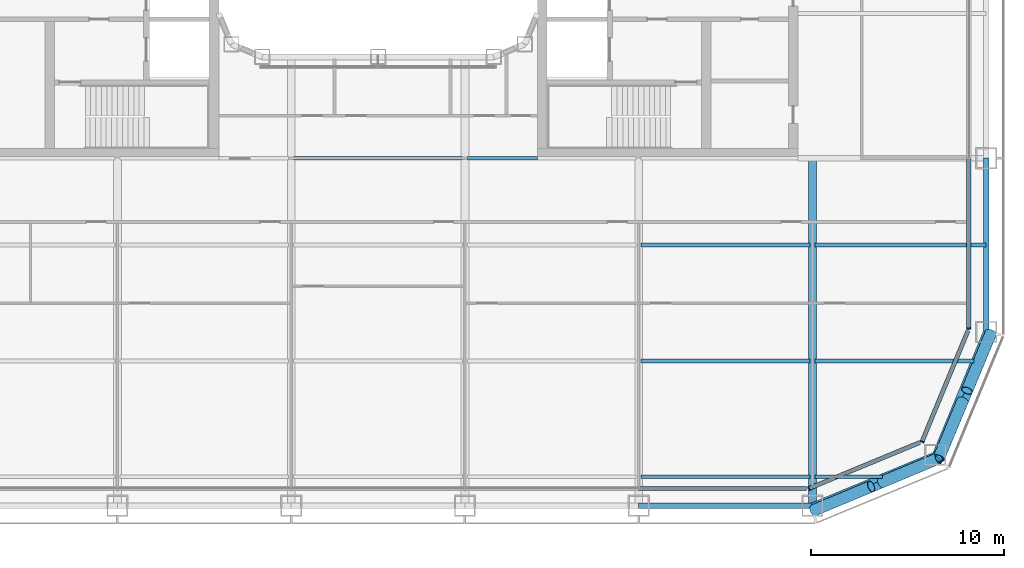
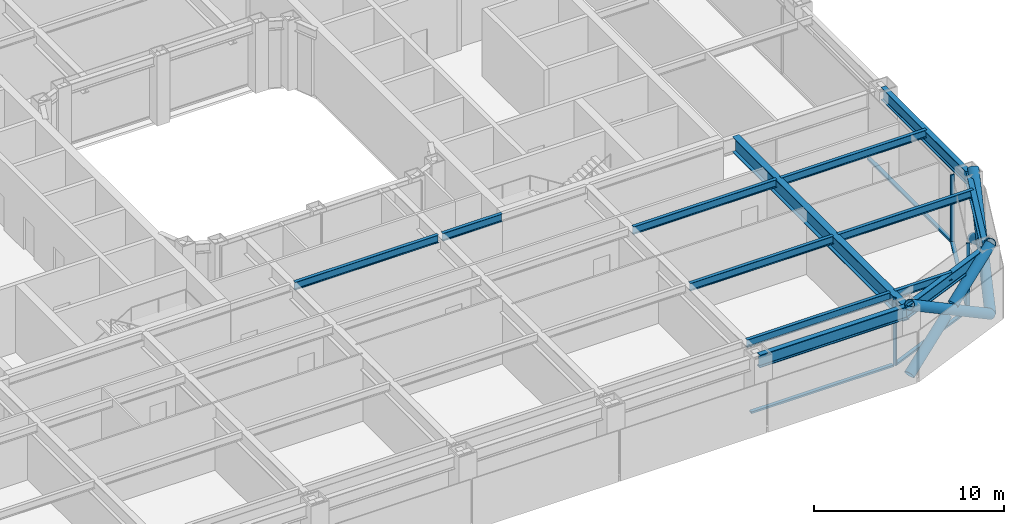
# One storey, part 4 of 24: 13 beams, 13 members, 4 elements without a shape of their own.
"""IFC4 building model written with IfcOpenShell, lengths in metres."""

from ifc_helpers import new_model, si_unit, direction, frame, origin, origin_2d, place, context, subcontext, project, spatial, rectangle, hollow_circle, i_section, extrude, material, layer, layer_set, material_profile, profile_set, type_object, element, aggregate, save


model = new_model("IFC4")

# Units and contexts
model_context = context("Model", 3, precision=1e-05, world=origin(), true_north=direction((0.0, 1.0)))
body_context = subcontext(model_context, "Body", "Model", "MODEL_VIEW")
ifc_project = project(units=[si_unit("LENGTHUNIT", "METRE"), si_unit("AREAUNIT", "SQUARE_METRE"), si_unit("VOLUMEUNIT", "CUBIC_METRE"), si_unit("PLANEANGLEUNIT", "RADIAN"), si_unit("MASSUNIT", "GRAM", prefix="KILO")], contexts=[model_context])

# Site, building, storey
site_placement = place(None, origin())
site = spatial("IfcSite", under=ifc_project, at=site_placement, CompositionType="ELEMENT")
building_placement = place(site_placement, origin())
building = spatial("IfcBuilding", under=site, at=building_placement, Name="Siwar Civic Tower", CompositionType="ELEMENT")
storey_placement = place(building_placement, frame((0.0, 0.0, 40.199951171875)))
storey = spatial("IfcBuildingStorey", under=building, at=storey_placement, Name="L08", CompositionType="ELEMENT", Elevation=40.199951171875)

# Curtain wall, member
ifc_material_1 = material(Name="Aluminium clad insulated panel", Category="aluminium")
ifc_layer_1 = layer(ifc_material_1, 0.219970703125)
ifc_layer_set_1 = layer_set([ifc_layer_1], Name="Aluminium clad insulated panel")
curtain_wall_type_1 = type_object("IfcCurtainWallType", Name="ENV-CW-AX", PredefinedType="NOTDEFINED", material=ifc_layer_set_1)
curtain_wall_1_placement = place(storey_placement, origin())
curtain_wall_1 = element("IfcCurtainWall", 1, at=curtain_wall_1_placement, inside=storey, type_object=curtain_wall_type_1, Name="Curtain wall A SE1", PredefinedType="NOTDEFINED")
ifc_material_2 = material(Name="Aluminium 6063-T6", Category="aluminium")
ifc_material_profile_1 = material_profile(ifc_material_2, rectangle(XDim=0.219970703125, YDim=0.070068359375, at=origin_2d()), Name="AL 220x70")
ifc_profile_set_1 = profile_set([ifc_material_profile_1], Name="Aluminium 6063-T6")
member_type_1 = type_object("IfcMemberType", Name="ENV-MULLION-A", PredefinedType="MULLION", material=ifc_profile_set_1)
member_1_placement = place(storey_placement, frame((22.321044921875, -30.60009765625, 0.0), z_axis=(0.0, 0.0, 1.0), x_axis=(-0.382683432365, 0.923879532511, 0.0)))
member_1 = element("IfcMember", 2, at=member_1_placement, type_object=member_type_1, Name="Mullion A SE1 1", PredefinedType="MULLION", context=body_context, shape_type="SweptSolid", body=[
    extrude(rectangle(XDim=0.219970703125, YDim=0.070068359375, at=origin_2d()), origin(), (0.0, 0.0, 1.0), 4.35009765625),
])

curtain_wall_2_placement = place(storey_placement, origin())
curtain_wall_2 = element("IfcCurtainWall", 3, at=curtain_wall_2_placement, inside=storey, type_object=curtain_wall_type_1, Name="Curtain wall A SE2", PredefinedType="NOTDEFINED")
member_2_placement = place(storey_placement, frame((28.175048828125, -28.175048828125, 0.0), z_axis=(0.0, 0.0, 1.0), x_axis=(-0.923879532511, 0.382683432365, 0.0)))
member_2 = element("IfcMember", 4, at=member_2_placement, type_object=member_type_1, Name="Mullion A SE2 1", PredefinedType="MULLION", context=body_context, shape_type="SweptSolid", body=[
    extrude(rectangle(XDim=0.219970703125, YDim=0.070068359375, at=origin_2d()), origin(), (0.0, 0.0, 1.0), 4.35009765625),
])

ifc_material_3 = material(Name="Aluminium and glass", Category="aluminium")
ifc_layer_2 = layer(ifc_material_3, 0.219970703125)
ifc_layer_set_2 = layer_set([ifc_layer_2], Name="Aluminium and glass")
curtain_wall_type_2 = type_object("IfcCurtainWallType", Name="ENV-CW-A", PredefinedType="NOTDEFINED", material=ifc_layer_set_2)
curtain_wall_3_placement = place(storey_placement, origin())
curtain_wall_3 = element("IfcCurtainWall", 5, at=curtain_wall_3_placement, inside=storey, type_object=curtain_wall_type_2, Name="Curtain wall A E", PredefinedType="NOTDEFINED")
member_3_placement = place(storey_placement, frame((30.60009765625, -22.321044921875, 0.0), z_axis=(0.0, 0.0, 1.0), x_axis=(-1.0, 0.0, 0.0)))
member_3 = element("IfcMember", 6, at=member_3_placement, type_object=member_type_1, Name="Mullion A E 1", PredefinedType="MULLION", context=body_context, shape_type="SweptSolid", body=[
    extrude(rectangle(XDim=0.219970703125, YDim=0.070068359375, at=origin_2d()), origin(), (0.0, 0.0, 1.0), 4.35009765625),
])

curtain_wall_4_placement = place(storey_placement, origin())
curtain_wall_4 = element("IfcCurtainWall", 7, at=curtain_wall_4_placement, inside=storey, type_object=curtain_wall_type_2, Name="Curtain wall A S", PredefinedType="NOTDEFINED")
ifc_material_4 = material(Name="Aluminium 6063-T6", Category="aluminium")
ifc_material_profile_2 = material_profile(ifc_material_4, rectangle(XDim=0.219970703125, YDim=0.1201171875, at=origin_2d()), Name="AL 220x120")
ifc_profile_set_2 = profile_set([ifc_material_profile_2], Name="Aluminium 6063-T6")
member_type_2 = type_object("IfcMemberType", Name="ENV-TRANSOM-A", PredefinedType="USERDEFINED", material=ifc_profile_set_2)
member_4_placement = place(storey_placement, frame((13.534912109375, -30.60009765625, 0.06005859375), z_axis=(1.0, 0.0, 0.0), x_axis=(0.0, 1.0, 0.0)))
member_4 = element("IfcMember", 8, at=member_4_placement, type_object=member_type_2, Name="Transom A S 5", ObjectType="TRANSOM", PredefinedType="USERDEFINED", context=body_context, shape_type="SweptSolid", body=[
    extrude(rectangle(XDim=0.219970703125, YDim=0.1201171875, at=origin_2d()), origin(), (0.0, 0.0, 1.0), 8.66357421875),
])
aggregate(curtain_wall_4, [member_4])

# Member
member_5_placement = place(storey_placement, frame((22.353271484375, -30.586669921875, 0.06005859375), z_axis=(0.923873326341, 0.382698415042, 0.0), x_axis=(-0.382698415042, 0.923873326341, 0.0)))
member_5 = element("IfcMember", 9, at=member_5_placement, type_object=member_type_2, Name="Transom A SE1 1", ObjectType="TRANSOM", PredefinedType="USERDEFINED", context=body_context, shape_type="SweptSolid", body=[
    extrude(rectangle(XDim=0.219970703125, YDim=0.1201171875, at=origin_2d()), origin(), (0.0, 0.0, 1.0), 6.17919921875),
])

aggregate(curtain_wall_1, [member_1, member_5])

member_6_placement = place(storey_placement, frame((28.1884765625, -28.142822265625, 0.06005859375), z_axis=(0.382698415042, 0.923873326341, 0.0), x_axis=(-0.923873326341, 0.382698415042, 0.0)))
member_6 = element("IfcMember", 10, at=member_6_placement, type_object=member_type_2, Name="Transom A SE2 1", ObjectType="TRANSOM", PredefinedType="USERDEFINED", context=body_context, shape_type="SweptSolid", body=[
    extrude(rectangle(XDim=0.219970703125, YDim=0.1201171875, at=origin_2d()), origin(), (0.0, 0.0, 1.0), 6.17919921875),
])

aggregate(curtain_wall_2, [member_2, member_6])

member_7_placement = place(storey_placement, frame((30.60009765625, -22.285888671875, 0.06005859375), z_axis=(0.0, 1.0, 0.0), x_axis=(-1.0, 0.0, 0.0)))
member_7 = element("IfcMember", 11, at=member_7_placement, type_object=member_type_2, Name="Transom A E 1", ObjectType="TRANSOM", PredefinedType="USERDEFINED", context=body_context, shape_type="SweptSolid", body=[
    extrude(rectangle(XDim=0.219970703125, YDim=0.1201171875, at=origin_2d()), origin(), (0.0, 0.0, 1.0), 8.7509765625),
])

aggregate(curtain_wall_3, [member_3, member_7])

# Members
ifc_material_5 = material(Name="Steel S355", Category="steel")
ifc_material_profile_3 = material_profile(ifc_material_5, hollow_circle(Radius=0.304931640625, WallThickness=0.030029296875, at=origin_2d()), Name="CHS610x30")
ifc_profile_set_3 = profile_set([ifc_material_profile_3], Name="Steel S355")
member_type_3 = type_object("IfcMemberType", Name="STR-BR-CHS610x30", PredefinedType="BRACE", material=ifc_profile_set_3)
member_8_placement = place(storey_placement, frame((29.040771484375, -29.040771484375, 0.0), z_axis=(0.323905527954, 0.777554562952, 0.538975055633), x_axis=(-0.923108759191, 0.384538969033, 0.0)))
element("IfcMember", 12, at=member_8_placement, inside=storey, type_object=member_type_3, Name="L08/brc/ASE1-7-0-1", PredefinedType="BRACE", context=body_context, shape_type="SweptSolid", body=[
    extrude(hollow_circle(Radius=0.304931640625, WallThickness=0.030029296875, at=origin_2d()), origin(), (0.0, 0.0, 1.0), 8.34912109375),
])
member_9_placement = place(storey_placement, frame((31.7451171875, -22.548828125, 0.0), z_axis=(-0.323882123145, -0.777533059308, 0.539020140617), x_axis=(0.923114847559, -0.384524353215, 0.0)))
element("IfcMember", 13, at=member_9_placement, inside=storey, type_object=member_type_3, Name="L08/brc/ASE1-7-0-2", PredefinedType="BRACE", context=body_context, shape_type="SweptSolid", body=[
    extrude(hollow_circle(Radius=0.304931640625, WallThickness=0.030029296875, at=origin_2d()), origin(), (0.0, 0.0, 1.0), 3.843505859375),
])
member_10_placement = place(storey_placement, frame((30.285888671875, -26.052001953125, 2.428466796875), z_axis=(-0.323934068367, -0.777568797048, 0.538937366685), x_axis=(0.923099230484, -0.384561842466, 0.0)))
element("IfcMember", 14, at=member_10_placement, inside=storey, type_object=member_type_3, Name="L08/brc/ASE1-7-0-3", PredefinedType="BRACE", context=body_context, shape_type="SweptSolid", body=[
    extrude(hollow_circle(Radius=0.304931640625, WallThickness=0.030029296875, at=origin_2d()), origin(), (0.0, 0.0, 1.0), 3.84375),
])
member_11_placement = place(storey_placement, frame((29.040771484375, -29.040771484375, 0.0), z_axis=(-0.777554562952, -0.323905527954, 0.538975055633), x_axis=(0.384538969033, -0.923108759191, 0.0)))
element("IfcMember", 15, at=member_11_placement, inside=storey, type_object=member_type_3, Name="L08/brc/ASE1-7-0-0", PredefinedType="BRACE", context=body_context, shape_type="SweptSolid", body=[
    extrude(hollow_circle(Radius=0.304931640625, WallThickness=0.030029296875, at=origin_2d()), origin(), (0.0, 0.0, 1.0), 8.34912109375),
])
member_12_placement = place(storey_placement, frame((22.548828125, -31.7451171875, 0.0), z_axis=(0.777533059308, 0.323882123145, 0.539020140617), x_axis=(-0.384524353215, 0.923114847559, 0.0)))
element("IfcMember", 16, at=member_12_placement, inside=storey, type_object=member_type_3, Name="L08/brc/ASE1-7-0-4", PredefinedType="BRACE", context=body_context, shape_type="SweptSolid", body=[
    extrude(hollow_circle(Radius=0.304931640625, WallThickness=0.030029296875, at=origin_2d()), origin(), (0.0, 0.0, 1.0), 3.843505859375),
])
member_13_placement = place(storey_placement, frame((26.052001953125, -30.285888671875, 2.428466796875), z_axis=(0.777568797048, 0.323934068367, 0.538937366685), x_axis=(-0.384561842466, 0.923099230484, 0.0)))
element("IfcMember", 17, at=member_13_placement, inside=storey, type_object=member_type_3, Name="L08/brc/ASE1-7-0-5", PredefinedType="BRACE", context=body_context, shape_type="SweptSolid", body=[
    extrude(hollow_circle(Radius=0.304931640625, WallThickness=0.030029296875, at=origin_2d()), origin(), (0.0, 0.0, 1.0), 3.84375),
])

# Beams
ifc_material_6 = material(Name="Steel S355", Category="steel")
ifc_material_profile_4 = material_profile(ifc_material_6, i_section(OverallWidth=0.199951171875, OverallDepth=0.5, WebThickness=0.01025390625, FlangeThickness=0.01611328125, FilletRadius=0.02099609375, at=origin_2d()), Name="IPE500")
ifc_profile_set_4 = profile_set([ifc_material_profile_4], Name="Steel S355")
beam_type_1 = type_object("IfcBeamType", Name="STR-FB-IPE500", PredefinedType="JOIST", material=ifc_profile_set_4)
beam_1_placement = place(storey_placement, frame((13.6298828125, -30.0, 4.10009765625), z_axis=(1.0, 0.0, 0.0), x_axis=(0.0, 1.0, 0.0)))
element("IfcBeam", 18, at=beam_1_placement, inside=storey, type_object=beam_type_1, Name="L08/bm/F006", PredefinedType="JOIST", context=body_context, shape_type="SweptSolid", body=[
    extrude(i_section(OverallWidth=0.199951171875, OverallDepth=0.5, WebThickness=0.01025390625, FlangeThickness=0.01611328125, FilletRadius=0.02099609375, at=origin_2d()), origin(), (0.0, 0.0, 1.0), 8.740234375),
])
beam_2_placement = place(storey_placement, frame((22.6298828125, -30.0, 4.10009765625), z_axis=(1.0, 0.0, 0.0), x_axis=(0.0, 1.0, 0.0)))
element("IfcBeam", 19, at=beam_2_placement, inside=storey, type_object=beam_type_1, Name="L08/bm/F007", PredefinedType="JOIST", context=body_context, shape_type="SweptSolid", body=[
    extrude(i_section(OverallWidth=0.199951171875, OverallDepth=0.5, WebThickness=0.01025390625, FlangeThickness=0.01611328125, FilletRadius=0.02099609375, at=origin_2d()), origin(), (0.0, 0.0, 1.0), 3.491455078125),
])
beam_3_placement = place(storey_placement, frame((13.6298828125, -24.0, 4.10009765625), z_axis=(1.0, 0.0, 0.0), x_axis=(0.0, 1.0, 0.0)))
element("IfcBeam", 20, at=beam_3_placement, inside=storey, type_object=beam_type_1, Name="L08/bm/F013", PredefinedType="JOIST", context=body_context, shape_type="SweptSolid", body=[
    extrude(i_section(OverallWidth=0.199951171875, OverallDepth=0.5, WebThickness=0.01025390625, FlangeThickness=0.01611328125, FilletRadius=0.02099609375, at=origin_2d()), origin(), (0.0, 0.0, 1.0), 8.740234375),
])
beam_4_placement = place(storey_placement, frame((22.6298828125, -24.0, 4.10009765625), z_axis=(1.0, 0.0, 0.0), x_axis=(0.0, 1.0, 0.0)))
element("IfcBeam", 21, at=beam_4_placement, inside=storey, type_object=beam_type_1, Name="L08/bm/F014", PredefinedType="JOIST", context=body_context, shape_type="SweptSolid", body=[
    extrude(i_section(OverallWidth=0.199951171875, OverallDepth=0.5, WebThickness=0.01025390625, FlangeThickness=0.01611328125, FilletRadius=0.02099609375, at=origin_2d()), origin(), (0.0, 0.0, 1.0), 8.248779296875),
])
beam_5_placement = place(storey_placement, frame((13.6298828125, -18.0, 4.10009765625), z_axis=(1.0, 0.0, 0.0), x_axis=(0.0, 1.0, 0.0)))
element("IfcBeam", 22, at=beam_5_placement, inside=storey, type_object=beam_type_1, Name="L08/bm/F020", PredefinedType="JOIST", context=body_context, shape_type="SweptSolid", body=[
    extrude(i_section(OverallWidth=0.199951171875, OverallDepth=0.5, WebThickness=0.01025390625, FlangeThickness=0.01611328125, FilletRadius=0.02099609375, at=origin_2d()), origin(), (0.0, 0.0, 1.0), 8.740234375),
])
beam_6_placement = place(storey_placement, frame((22.6298828125, -18.0, 4.10009765625), z_axis=(1.0, 0.0, 0.0), x_axis=(0.0, 1.0, 0.0)))
element("IfcBeam", 23, at=beam_6_placement, inside=storey, type_object=beam_type_1, Name="L08/bm/F021", PredefinedType="JOIST", context=body_context, shape_type="SweptSolid", body=[
    extrude(i_section(OverallWidth=0.199951171875, OverallDepth=0.5, WebThickness=0.01025390625, FlangeThickness=0.01611328125, FilletRadius=0.02099609375, at=origin_2d()), origin(), (0.0, 0.0, 1.0), 8.8701171875),
])
beam_7_placement = place(storey_placement, frame((-4.3701171875, -13.5, 4.10009765625), z_axis=(1.0, 0.0, 0.0), x_axis=(0.0, 1.0, 0.0)))
element("IfcBeam", 24, at=beam_7_placement, inside=storey, type_object=beam_type_1, Name="L08/bm/F026", PredefinedType="JOIST", context=body_context, shape_type="SweptSolid", body=[
    extrude(i_section(OverallWidth=0.199951171875, OverallDepth=0.5, WebThickness=0.01025390625, FlangeThickness=0.01611328125, FilletRadius=0.02099609375, at=origin_2d()), origin(), (0.0, 0.0, 1.0), 8.740234375),
])
beam_8_placement = place(storey_placement, frame((4.6298828125, -13.5, 4.10009765625), z_axis=(1.0, 0.0, 0.0), x_axis=(0.0, 1.0, 0.0)))
element("IfcBeam", 25, at=beam_8_placement, inside=storey, type_object=beam_type_1, Name="L08/bm/F027", PredefinedType="JOIST", context=body_context, shape_type="SweptSolid", body=[
    extrude(i_section(OverallWidth=0.199951171875, OverallDepth=0.5, WebThickness=0.01025390625, FlangeThickness=0.01611328125, FilletRadius=0.02099609375, at=origin_2d()), origin(), (0.0, 0.0, 1.0), 3.6201171875),
])
ifc_material_7 = material(Name="Steel S355", Category="steel")
ifc_material_profile_5 = material_profile(ifc_material_7, i_section(OverallWidth=0.39990234375, OverallDepth=1.0, WebThickness=0.01611328125, FlangeThickness=0.0400390625, at=origin_2d()), Name="PG1000x400x16x40")
ifc_profile_set_5 = profile_set([ifc_material_profile_5], Name="Steel S355")
beam_type_2 = type_object("IfcBeamType", Name="STR-PG-PG1000x400x16x40", PredefinedType="BEAM", material=ifc_profile_set_5)
beam_9_placement = place(storey_placement, frame((22.5, -31.5, 3.85009765625), z_axis=(0.0, 1.0, 0.0), x_axis=(-1.0, 0.0, 0.0)))
element("IfcBeam", 26, at=beam_9_placement, inside=storey, type_object=beam_type_2, Name="L08/bm/G11", PredefinedType="BEAM", context=body_context, shape_type="SweptSolid", body=[
    extrude(i_section(OverallWidth=0.39990234375, OverallDepth=1.0, WebThickness=0.01611328125, FlangeThickness=0.0400390625, at=origin_2d()), origin(), (0.0, 0.0, 1.0), 18.0),
])
ifc_material_8 = material(Name="Steel S355", Category="steel")
ifc_material_profile_6 = material_profile(ifc_material_8, i_section(OverallWidth=0.302978515625, OverallDepth=0.81396484375, WebThickness=0.02099609375, FlangeThickness=0.0400390625, FilletRadius=0.030029296875, at=origin_2d()), Name="HEM800")
ifc_profile_set_6 = profile_set([ifc_material_profile_6], Name="Steel S355")
beam_type_3 = type_object("IfcBeamType", Name="STR-SB-HEM800", PredefinedType="BEAM", material=ifc_profile_set_6)
beam_10_placement = place(storey_placement, frame((13.5, -31.5, 3.943115234375), z_axis=(1.0, 0.0, 0.0), x_axis=(0.0, 1.0, 0.0)))
element("IfcBeam", 27, at=beam_10_placement, inside=storey, type_object=beam_type_3, Name="L08/bm/SS-4", PredefinedType="BEAM", context=body_context, shape_type="SweptSolid", body=[
    extrude(i_section(OverallWidth=0.302978515625, OverallDepth=0.81396484375, WebThickness=0.02099609375, FlangeThickness=0.0400390625, FilletRadius=0.030029296875, at=origin_2d()), origin(), (0.0, 0.0, 1.0), 9.0),
])
for number, where, z_axis, x_axis, name in (
    (28, (22.5, -31.5, 3.943115234375), (0.923883353507, 0.382674207535, 0.0), (-0.382674207535, 0.923883353507, 0.0), "L08/bm/SSE1-0"),
    (29, (28.864013671875, -28.864013671875, 3.943115234375), (0.382674207535, 0.923883353507, 0.0), (-0.923883353507, 0.382674207535, 0.0), "L08/bm/SSE2-0"),
):
    element("IfcBeam", number, at=place(storey_placement, frame(where, z_axis=z_axis, x_axis=x_axis)), inside=storey, type_object=beam_type_3, Name=name, PredefinedType="BEAM", context=body_context, shape_type="SweptSolid", body=[
        extrude(i_section(OverallWidth=0.302978515625, OverallDepth=0.81396484375, WebThickness=0.02099609375, FlangeThickness=0.0400390625, FilletRadius=0.030029296875, at=origin_2d()), origin(), (0.0, 0.0, 1.0), 6.888427734375),
    ])
beam_11_placement = place(storey_placement, frame((31.5, -22.5, 3.943115234375), z_axis=(0.0, 1.0, 0.0), x_axis=(-1.0, 0.0, 0.0)))
element("IfcBeam", 30, at=beam_11_placement, inside=storey, type_object=beam_type_3, Name="L08/bm/SE-0", PredefinedType="BEAM", context=body_context, shape_type="SweptSolid", body=[
    extrude(i_section(OverallWidth=0.302978515625, OverallDepth=0.81396484375, WebThickness=0.02099609375, FlangeThickness=0.0400390625, FilletRadius=0.030029296875, at=origin_2d()), origin(), (0.0, 0.0, 1.0), 9.0),
])

save(model, "model.ifc")
